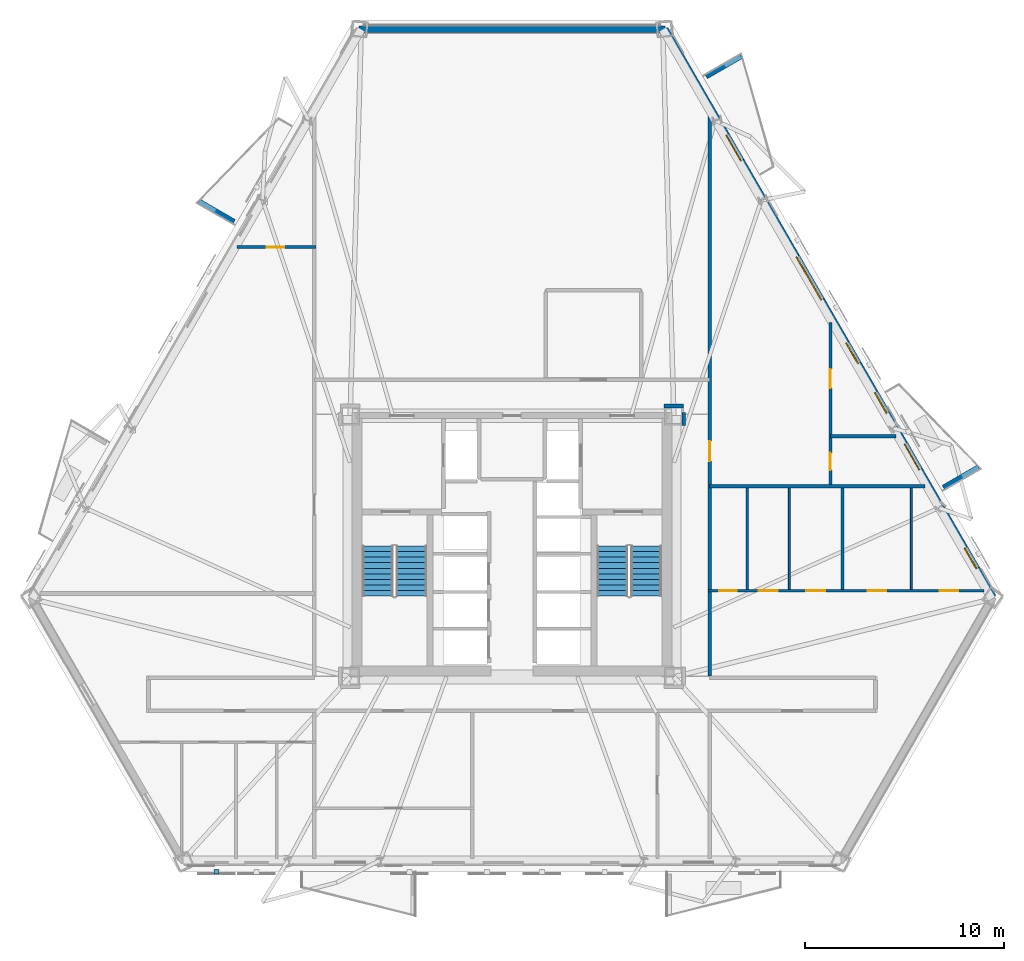
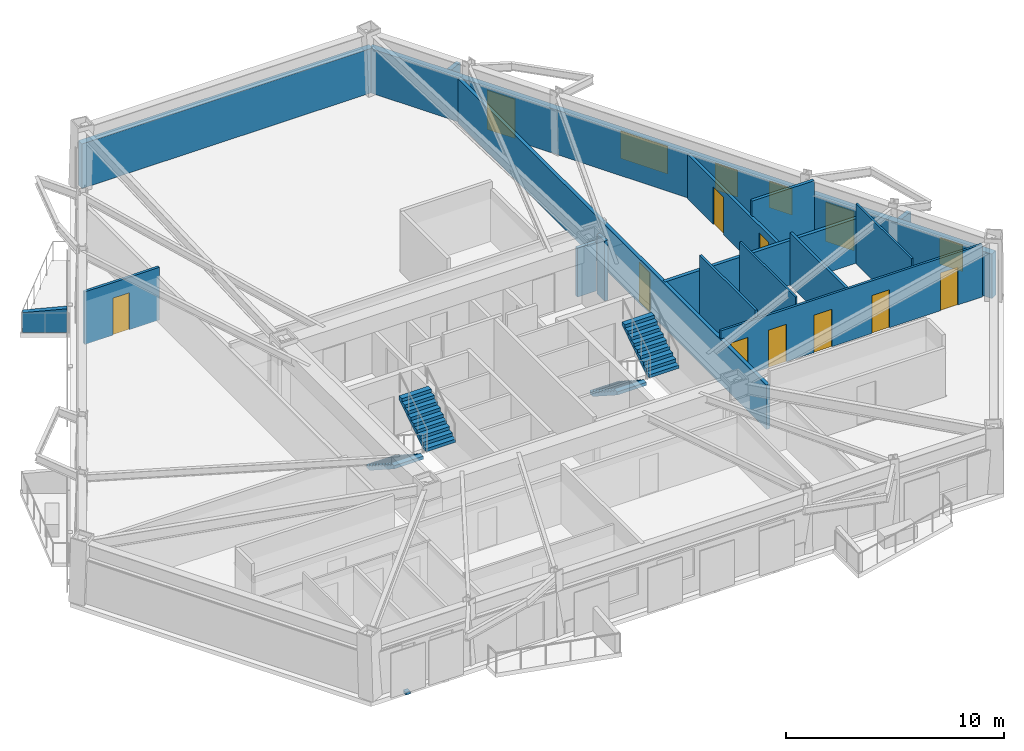
# One storey, part 5 of 13: 17 walls, 11 doors, 4 stair flights, 4 windows, 1 discrete accessory, 15 openings, 2 elements without a shape of their own.
"""IFC4 building model written with IfcOpenShell, lengths in metres."""

from ifc_helpers import new_model, si_unit, direction, frame, frame_2d, origin, origin_2d, place, context, subcontext, project, spatial, polyline, rectangle, outline, extrude, material, layer, layer_set, type_object, element, fill, aggregate, save


model = new_model("IFC4")

# Units and contexts
model_context = context("Model", 3, precision=1e-05, world=origin(), true_north=direction((0.0, 1.0)))
body_context = subcontext(model_context, "Body", "Model", "MODEL_VIEW")
ifc_project = project(units=[si_unit("LENGTHUNIT", "METRE"), si_unit("AREAUNIT", "SQUARE_METRE"), si_unit("VOLUMEUNIT", "CUBIC_METRE"), si_unit("PLANEANGLEUNIT", "RADIAN"), si_unit("MASSUNIT", "GRAM", prefix="KILO")], contexts=[model_context])

# Site, building, storey
site_placement = place(None, origin())
site = spatial("IfcSite", under=ifc_project, at=site_placement, CompositionType="ELEMENT")
building_placement = place(site_placement, origin())
building = spatial("IfcBuilding", under=site, at=building_placement, Name="Oramaril Tower", CompositionType="ELEMENT")
storey_placement = place(building_placement, frame((0.0, 0.0, 38.10009765625)))
storey = spatial("IfcBuildingStorey", under=building, at=storey_placement, Name="L09", CompositionType="ELEMENT", Elevation=38.10009765625)

# Wall, openings, doors, windows
ifc_material_1 = material(Name="Warm Cream Limestone", Category="masonry")
ifc_layer_1 = layer(ifc_material_1, 0.340087890625)
ifc_layer_set_1 = layer_set([ifc_layer_1], Name="WT-EXT34")
wall_type_1 = type_object("IfcWallType", Name="WT-EXT34", PredefinedType="SOLIDWALL", material=ifc_layer_set_1)
wall_1_placement = place(storey_placement, frame((61.712890625, 15.01416015625, 0.0), z_axis=(0.0, 0.0, 1.0), x_axis=(-0.499997221217, 0.86602700811, 0.0)))
wall_1 = element("IfcWall", 1, at=wall_1_placement, inside=storey, type_object=wall_type_1, Name="L09 Tower Limestone Facade Wall 4M", PredefinedType="SOLIDWALL", context=body_context, shape_type="SweptSolid", body=[
    extrude(rectangle(XDim=33.021728515625, YDim=0.340087890625, at=frame_2d((16.5107421875, 0.0))), origin(), (0.0, 0.0, 1.0), 2.493896484375),
])
opening_1_placement = place(wall_1_placement, frame((7.404296875, 0.0, 0.0)))
opening_1 = element("IfcOpeningElement", 2, at=opening_1_placement, cuts=wall_1, Name="Opening D-L09-BAL-NE1", PredefinedType="OPENING", context=body_context, shape_type="SweptSolid", body=[
    extrude(rectangle(XDim=1.5, YDim=2.199951171875, at=frame_2d((0.75, 1.10009765625))), frame((0.0, 0.169921875, 0.0), z_axis=(0.0, -1.0, 0.0), x_axis=(1.0, 0.0, 0.0)), (0.0, 0.0, 1.0), 0.340087890625),
])
opening_2_placement = place(wall_1_placement, frame((25.3623046875, 0.0, 0.0)))
opening_2 = element("IfcOpeningElement", 3, at=opening_2_placement, cuts=wall_1, Name="Opening D-L09-BAL-NE2", PredefinedType="OPENING", context=body_context, shape_type="SweptSolid", body=[
    extrude(rectangle(XDim=1.5, YDim=2.199951171875, at=frame_2d((0.75, 1.10009765625))), frame((0.0, 0.169921875, 0.0), z_axis=(0.0, -1.0, 0.0), x_axis=(1.0, 0.0, 0.0)), (0.0, 0.0, 1.0), 0.340087890625),
])
opening_3_placement = place(wall_1_placement, frame((1.6572265625, 0.0, 0.85009765625)))
opening_3 = element("IfcOpeningElement", 4, at=opening_3_placement, cuts=wall_1, Name="Opening WN-09", PredefinedType="OPENING", context=body_context, shape_type="SweptSolid", body=[
    extrude(rectangle(XDim=1.199951171875, YDim=1.47998046875, at=frame_2d((0.60009765625, 0.739990234375))), frame((0.0, 0.169921875, 0.0), z_axis=(0.0, -1.0, 0.0), x_axis=(1.0, 0.0, 0.0)), (0.0, 0.0, 1.0), 0.340087890625),
])
opening_4_placement = place(wall_1_placement, frame((17.281982421875, 0.0, 0.85009765625)))
opening_4 = element("IfcOpeningElement", 5, at=opening_4_placement, cuts=wall_1, Name="Opening WN-11", PredefinedType="OPENING", context=body_context, shape_type="SweptSolid", body=[
    extrude(rectangle(XDim=2.5, YDim=1.533935546875, at=frame_2d((1.25, 0.76708984375))), frame((0.0, 0.169921875, 0.0), z_axis=(0.0, -1.0, 0.0), x_axis=(1.0, 0.0, 0.0)), (0.0, 0.0, 1.0), 0.340087890625),
])
opening_5_placement = place(wall_1_placement, frame((10.692138671875, 0.0, 0.85009765625)))
opening_5 = element("IfcOpeningElement", 6, at=opening_5_placement, cuts=wall_1, Name="Opening WN-09", PredefinedType="OPENING", context=body_context, shape_type="SweptSolid", body=[
    extrude(rectangle(XDim=1.199951171875, YDim=1.47998046875, at=frame_2d((0.60009765625, 0.739990234375))), frame((0.0, 0.169921875, 0.0), z_axis=(0.0, -1.0, 0.0), x_axis=(1.0, 0.0, 0.0)), (0.0, 0.0, 1.0), 0.340087890625),
])
opening_6_placement = place(wall_1_placement, frame((13.576416015625, 0.0, 0.85009765625)))
opening_6 = element("IfcOpeningElement", 7, at=opening_6_placement, cuts=wall_1, Name="Opening WN-09", PredefinedType="OPENING", context=body_context, shape_type="SweptSolid", body=[
    extrude(rectangle(XDim=1.199951171875, YDim=1.47998046875, at=frame_2d((0.60009765625, 0.739990234375))), frame((0.0, 0.169921875, 0.0), z_axis=(0.0, -1.0, 0.0), x_axis=(1.0, 0.0, 0.0)), (0.0, 0.0, 1.0), 0.340087890625),
])
ifc_material_2 = material(Name="Anodised Aluminium 6063-T6", Category="aluminium")
door_type_1 = type_object("IfcDoorType", Name="DT-BAL", OperationType="NOTDEFINED", PredefinedType="DOOR", material=ifc_material_2)
door_1_placement = place(opening_1_placement, origin())
door_1 = element("IfcDoor", 8, at=door_1_placement, inside=storey, type_object=door_type_1, Name="L09 Balcony Glazed Door L09-BAL-NE1", OperationType="SINGLE_SWING_RIGHT", OverallHeight=2.199951171875, OverallWidth=1.5, PredefinedType="DOOR", context=body_context, shape_type="SweptSolid", body=[
    extrude(rectangle(XDim=1.5, YDim=2.199951171875, at=frame_2d((0.75, 1.10009765625))), frame((0.0, 0.02490234375, 0.0), z_axis=(0.0, -1.0, 0.0), x_axis=(1.0, 0.0, 0.0)), (0.0, 0.0, 1.0), 0.050048828125),
])
fill(opening_1, door_1)
door_2_placement = place(opening_2_placement, origin())
door_2 = element("IfcDoor", 9, at=door_2_placement, inside=storey, type_object=door_type_1, Name="L09 Balcony Glazed Door L09-BAL-NE2", OperationType="SINGLE_SWING_LEFT", OverallHeight=2.199951171875, OverallWidth=1.5, PredefinedType="DOOR", context=body_context, shape_type="SweptSolid", body=[
    extrude(rectangle(XDim=1.5, YDim=2.199951171875, at=frame_2d((0.75, 1.10009765625))), frame((0.0, 0.02490234375, 0.0), z_axis=(0.0, -1.0, 0.0), x_axis=(1.0, 0.0, 0.0)), (0.0, 0.0, 1.0), 0.050048828125),
])
fill(opening_2, door_2)
ifc_material_3 = material(Name="Coastal Low-E Insulated Glass", Category="glass")
window_type_1 = type_object("IfcWindowType", Name="WNT-09", PartitioningType="SINGLE_PANEL", PredefinedType="WINDOW", material=ifc_material_3)
window_1_placement = place(opening_3_placement, origin())
window_1 = element("IfcWindow", 10, at=window_1_placement, inside=storey, type_object=window_type_1, Name="L09 Chicago Bay Window WN-09", OverallHeight=1.47998046875, OverallWidth=1.199951171875, PartitioningType="SINGLE_PANEL", PredefinedType="WINDOW", context=body_context, shape_type="SweptSolid", body=[
    extrude(rectangle(XDim=1.199951171875, YDim=1.47998046875, at=frame_2d((0.60009765625, 0.739990234375))), frame((0.0, 0.030029296875, 0.0), z_axis=(0.0, -1.0, 0.0), x_axis=(1.0, 0.0, 0.0)), (0.0, 0.0, 1.0), 0.06005859375),
])
fill(opening_3, window_1)
window_2_placement = place(opening_5_placement, origin())
window_2 = element("IfcWindow", 11, at=window_2_placement, inside=storey, type_object=window_type_1, Name="L09 Chicago Bay Window WN-09", OverallHeight=1.47998046875, OverallWidth=1.199951171875, PartitioningType="SINGLE_PANEL", PredefinedType="WINDOW", context=body_context, shape_type="SweptSolid", body=[
    extrude(rectangle(XDim=1.199951171875, YDim=1.47998046875, at=frame_2d((0.60009765625, 0.739990234375))), frame((0.0, 0.030029296875, 0.0), z_axis=(0.0, -1.0, 0.0), x_axis=(1.0, 0.0, 0.0)), (0.0, 0.0, 1.0), 0.06005859375),
])
fill(opening_5, window_2)
window_3_placement = place(opening_6_placement, origin())
window_3 = element("IfcWindow", 12, at=window_3_placement, inside=storey, type_object=window_type_1, Name="L09 Chicago Bay Window WN-09", OverallHeight=1.47998046875, OverallWidth=1.199951171875, PartitioningType="SINGLE_PANEL", PredefinedType="WINDOW", context=body_context, shape_type="SweptSolid", body=[
    extrude(rectangle(XDim=1.199951171875, YDim=1.47998046875, at=frame_2d((0.60009765625, 0.739990234375))), frame((0.0, 0.030029296875, 0.0), z_axis=(0.0, -1.0, 0.0), x_axis=(1.0, 0.0, 0.0)), (0.0, 0.0, 1.0), 0.06005859375),
])
fill(opening_6, window_3)
ifc_material_4 = material(Name="Coastal Low-E Insulated Glass", Category="glass")
window_type_2 = type_object("IfcWindowType", Name="WNT-11", PartitioningType="SINGLE_PANEL", PredefinedType="WINDOW", material=ifc_material_4)
window_4_placement = place(opening_4_placement, origin())
window_4 = element("IfcWindow", 13, at=window_4_placement, inside=storey, type_object=window_type_2, Name="L09 Chicago Bay Window WN-11", OverallHeight=1.533935546875, OverallWidth=2.5, PartitioningType="SINGLE_PANEL", PredefinedType="WINDOW", context=body_context, shape_type="SweptSolid", body=[
    extrude(rectangle(XDim=2.5, YDim=1.533935546875, at=frame_2d((1.25, 0.76708984375))), frame((0.0, 0.030029296875, 0.0), z_axis=(0.0, -1.0, 0.0), x_axis=(1.0, 0.0, 0.0)), (0.0, 0.0, 1.0), 0.06005859375),
])
fill(opening_4, window_4)

# Walls
wall_2_placement = place(storey_placement, frame((45.2021484375, 43.61181640625, 0.0), z_axis=(0.0, 0.0, 1.0), x_axis=(-1.0, 0.0, 0.0)))
element("IfcWall", 14, at=wall_2_placement, inside=storey, type_object=wall_type_1, Name="L09 Tower Limestone Facade Wall 5M", PredefinedType="SOLIDWALL", context=body_context, shape_type="SweptSolid", body=[
    extrude(rectangle(XDim=15.404296875, YDim=0.340087890625, at=frame_2d((7.7021484375, 0.0))), origin(), (0.0, 0.0, 1.0), 2.493896484375),
])
ifc_material_5 = material(Name="Concrete C40/50", Category="concrete")
ifc_layer_2 = layer(ifc_material_5, 0.22998046875)
ifc_layer_set_2 = layer_set([ifc_layer_2], Name="WT-PRP23")
wall_type_2 = type_object("IfcWallType", Name="WT-PRP23", PredefinedType="PARAPET", material=ifc_layer_set_2)
for number, where, z_axis, x_axis, name in (
    (15, (59.211181640625, 20.54345703125, 0.0), (0.0, 0.0, 1.0), (0.866012356593, 0.500022597718, 0.0), "L09 Trapezoidal Balcony Frame Cheek L09-BAL-NE1-L"),
    (16, (47.277099609375, 41.213623046875, 0.0), (0.0, 0.0, 1.0), (0.866042246008, 0.499970827278, 0.0), "L09 Trapezoidal Balcony Frame Cheek L09-BAL-NE2-R"),
    (17, (23.515380859375, 33.926025390625, 0.0), (0.0, 0.0, 1.0), (-0.866042246008, 0.499970827278, 0.0), "L09 Trapezoidal Balcony Frame Cheek L09-BAL-NW1-R"),
):
    element("IfcWall", number, at=place(storey_placement, frame(where, z_axis=z_axis, x_axis=x_axis)), inside=storey, type_object=wall_type_2, Name=name, PredefinedType="PARAPET", context=body_context, shape_type="SweptSolid", body=[
        extrude(outline(polyline([(0.0, 0.0), (2.0419921875, 0.0), (2.0419921875, 1.099853515625), (0.0, 1.31982421875), (0.0, 0.0)])), frame((0.0, 0.114990234375, 0.0), z_axis=(0.0, -1.0, 0.0), x_axis=(1.0, 0.0, 0.0)), (0.0, 0.0, 1.0), 0.22998046875),
    ])
ifc_material_6 = material(Name="Acoustic Gypsum Board Partition")
ifc_layer_3 = layer(ifc_material_6, 0.10009765625)
ifc_layer_set_3 = layer_set([ifc_layer_3], Name="WT-PT10")
wall_type_3 = type_object("IfcWallType", Name="WT-PT10", PredefinedType="PARTITIONING", material=ifc_layer_set_3)
for number, where, z_axis, x_axis, name in (
    (18, (51.4599609375, 15.404052734375, 0.0), (0.0, 0.0, 1.0), (0.0, 1.0, 0.0), "L09 Interior Partition PT-10"),
    (19, (57.610107421875, 15.404052734375, 0.0), (0.0, 0.0, 1.0), (0.0, 1.0, 0.0), "L09 Interior Partition PT-10"),
):
    element("IfcWall", number, at=place(storey_placement, frame(where, z_axis=z_axis, x_axis=x_axis)), inside=storey, type_object=wall_type_3, Name=name, PredefinedType="PARTITIONING", context=body_context, shape_type="SweptSolid", body=[
        extrude(rectangle(XDim=5.10205078125, YDim=0.10009765625, at=frame_2d((2.551025390625, 0.0))), origin(), (0.0, 0.0, 1.0), 3.35986328125),
    ])

# Wall, openings, doors
ifc_material_7 = material(Name="Acoustic Gypsum Board Partition")
ifc_layer_4 = layer(ifc_material_7, 0.1201171875)
ifc_layer_set_4 = layer_set([ifc_layer_4], Name="WT-PT12")
wall_type_4 = type_object("IfcWallType", Name="WT-PT12", PredefinedType="PARTITIONING", material=ifc_layer_set_4)
wall_3_placement = place(storey_placement, frame((47.39990234375, 15.340087890625, 0.0), z_axis=(0.0, 0.0, 1.0), x_axis=(1.0, 0.0, 0.0)))
wall_3 = element("IfcWall", 20, at=wall_3_placement, inside=storey, type_object=wall_type_4, Name="L09 Interior Partition PT-12", PredefinedType="PARTITIONING", context=body_context, shape_type="SweptSolid", body=[
    extrude(rectangle(XDim=13.86572265625, YDim=0.1201171875, at=frame_2d((6.932861328125, 0.0))), origin(), (0.0, 0.0, 1.0), 2.94580078125),
])
opening_7_placement = place(wall_3_placement, frame((0.5400390625, 0.0, 0.0)))
opening_7 = element("IfcOpeningElement", 21, at=opening_7_placement, cuts=wall_3, Name="Opening D-L09-10", PredefinedType="OPENING", context=body_context, shape_type="SweptSolid", body=[
    extrude(rectangle(XDim=0.8798828125, YDim=2.080078125, at=frame_2d((0.43994140625, 1.0400390625))), frame((0.0, 0.06005859375, 0.0), z_axis=(0.0, -1.0, 0.0), x_axis=(1.0, 0.0, 0.0)), (0.0, 0.0, 1.0), 0.1201171875),
])
opening_8_placement = place(wall_3_placement, frame((2.5244140625, 0.0, 0.0)))
opening_8 = element("IfcOpeningElement", 22, at=opening_8_placement, cuts=wall_3, Name="Opening D-L09-11", PredefinedType="OPENING", context=body_context, shape_type="SweptSolid", body=[
    extrude(rectangle(XDim=0.949951171875, YDim=2.10009765625, at=frame_2d((0.47509765625, 1.050048828125))), frame((0.0, 0.06005859375, 0.0), z_axis=(0.0, -1.0, 0.0), x_axis=(1.0, 0.0, 0.0)), (0.0, 0.0, 1.0), 0.1201171875),
])
opening_9_placement = place(wall_3_placement, frame((4.923095703125, 0.0, 0.0)))
opening_9 = element("IfcOpeningElement", 23, at=opening_9_placement, cuts=wall_3, Name="Opening D-L09-12", PredefinedType="OPENING", context=body_context, shape_type="SweptSolid", body=[
    extrude(rectangle(XDim=0.949951171875, YDim=2.10009765625, at=frame_2d((0.47509765625, 1.050048828125))), frame((0.0, 0.06005859375, 0.0), z_axis=(0.0, -1.0, 0.0), x_axis=(1.0, 0.0, 0.0)), (0.0, 0.0, 1.0), 0.1201171875),
])
opening_10_placement = place(wall_3_placement, frame((8.013671875, 0.0, 0.0)))
opening_10 = element("IfcOpeningElement", 24, at=opening_10_placement, cuts=wall_3, Name="Opening D-L09-13", PredefinedType="OPENING", context=body_context, shape_type="SweptSolid", body=[
    extrude(rectangle(XDim=0.919921875, YDim=2.1201171875, at=frame_2d((0.4599609375, 1.06005859375))), frame((0.0, 0.06005859375, 0.0), z_axis=(0.0, -1.0, 0.0), x_axis=(1.0, 0.0, 0.0)), (0.0, 0.0, 1.0), 0.1201171875),
])
opening_11_placement = place(wall_3_placement, frame((11.635009765625, 0.0, 0.0)))
opening_11 = element("IfcOpeningElement", 25, at=opening_11_placement, cuts=wall_3, Name="Opening D-L09-14", PredefinedType="OPENING", context=body_context, shape_type="SweptSolid", body=[
    extrude(rectangle(XDim=0.919921875, YDim=2.1201171875, at=frame_2d((0.4599609375, 1.06005859375))), frame((0.0, 0.06005859375, 0.0), z_axis=(0.0, -1.0, 0.0), x_axis=(1.0, 0.0, 0.0)), (0.0, 0.0, 1.0), 0.1201171875),
])
ifc_material_8 = material(Name="FSC Brazilian Freijo Hardwood", Category="wood")
door_type_2 = type_object("IfcDoorType", Name="DT-BATH", OperationType="NOTDEFINED", PredefinedType="DOOR", material=ifc_material_8)
door_3_placement = place(opening_7_placement, origin())
door_3 = element("IfcDoor", 26, at=door_3_placement, inside=storey, type_object=door_type_2, Name="L09 Flat L09-U5 Bathroom Door D-L09-10", OperationType="SINGLE_SWING_RIGHT", OverallHeight=2.080078125, OverallWidth=0.8798828125, PredefinedType="DOOR", context=body_context, shape_type="SweptSolid", body=[
    extrude(rectangle(XDim=0.8798828125, YDim=2.080078125, at=frame_2d((0.43994140625, 1.0400390625))), frame((0.0, 0.02490234375, 0.0), z_axis=(0.0, -1.0, 0.0), x_axis=(1.0, 0.0, 0.0)), (0.0, 0.0, 1.0), 0.050048828125),
])
fill(opening_7, door_3)
ifc_material_9 = material(Name="FSC Brazilian Freijo Hardwood", Category="wood")
door_type_3 = type_object("IfcDoorType", Name="DT-BED", OperationType="NOTDEFINED", PredefinedType="DOOR", material=ifc_material_9)
door_4_placement = place(opening_10_placement, origin())
door_4 = element("IfcDoor", 27, at=door_4_placement, inside=storey, type_object=door_type_3, Name="L09 Flat L09-U5 Bedroom 2 Door D-L09-13", OperationType="SINGLE_SWING_LEFT", OverallHeight=2.1201171875, OverallWidth=0.919921875, PredefinedType="DOOR", context=body_context, shape_type="SweptSolid", body=[
    extrude(rectangle(XDim=0.919921875, YDim=2.1201171875, at=frame_2d((0.4599609375, 1.06005859375))), frame((0.0, 0.02490234375, 0.0), z_axis=(0.0, -1.0, 0.0), x_axis=(1.0, 0.0, 0.0)), (0.0, 0.0, 1.0), 0.050048828125),
])
fill(opening_10, door_4)
door_5_placement = place(opening_11_placement, origin())
door_5 = element("IfcDoor", 28, at=door_5_placement, inside=storey, type_object=door_type_3, Name="L09 Flat L09-U5 Master Bedroom Door D-L09-14", OperationType="SINGLE_SWING_RIGHT", OverallHeight=2.1201171875, OverallWidth=0.919921875, PredefinedType="DOOR", context=body_context, shape_type="SweptSolid", body=[
    extrude(rectangle(XDim=0.919921875, YDim=2.1201171875, at=frame_2d((0.4599609375, 1.06005859375))), frame((0.0, 0.02490234375, 0.0), z_axis=(0.0, -1.0, 0.0), x_axis=(1.0, 0.0, 0.0)), (0.0, 0.0, 1.0), 0.050048828125),
])
fill(opening_11, door_5)
ifc_material_10 = material(Name="FSC Brazilian Freijo Hardwood", Category="wood")
door_type_4 = type_object("IfcDoorType", Name="DT-STDY", OperationType="NOTDEFINED", PredefinedType="DOOR", material=ifc_material_10)
door_6_placement = place(opening_8_placement, origin())
door_6 = element("IfcDoor", 29, at=door_6_placement, inside=storey, type_object=door_type_4, Name="L09 Flat L09-U5 Kitchen Door D-L09-11", OperationType="SINGLE_SWING_LEFT", OverallHeight=2.10009765625, OverallWidth=0.949951171875, PredefinedType="DOOR", context=body_context, shape_type="SweptSolid", body=[
    extrude(rectangle(XDim=0.949951171875, YDim=2.10009765625, at=frame_2d((0.47509765625, 1.050048828125))), frame((0.0, 0.02490234375, 0.0), z_axis=(0.0, -1.0, 0.0), x_axis=(1.0, 0.0, 0.0)), (0.0, 0.0, 1.0), 0.050048828125),
])
fill(opening_8, door_6)
door_7_placement = place(opening_9_placement, origin())
door_7 = element("IfcDoor", 30, at=door_7_placement, inside=storey, type_object=door_type_4, Name="L09 Flat L09-U5 Reading Study Door D-L09-12", OperationType="SINGLE_SWING_RIGHT", OverallHeight=2.10009765625, OverallWidth=0.949951171875, PredefinedType="DOOR", context=body_context, shape_type="SweptSolid", body=[
    extrude(rectangle(XDim=0.949951171875, YDim=2.10009765625, at=frame_2d((0.47509765625, 1.050048828125))), frame((0.0, 0.02490234375, 0.0), z_axis=(0.0, -1.0, 0.0), x_axis=(1.0, 0.0, 0.0)), (0.0, 0.0, 1.0), 0.050048828125),
])
fill(opening_9, door_7)

# Wall
wall_4_placement = place(storey_placement, frame((49.340087890625, 15.404052734375, 0.0), z_axis=(0.0, 0.0, 1.0), x_axis=(0.0, 1.0, 0.0)))
element("IfcWall", 31, at=wall_4_placement, inside=storey, type_object=wall_type_4, Name="L09 Interior Partition PT-12", PredefinedType="PARTITIONING", context=body_context, shape_type="SweptSolid", body=[
    extrude(rectangle(XDim=5.10205078125, YDim=0.1201171875, at=frame_2d((2.551025390625, 0.0))), origin(), (0.0, 0.0, 1.0), 3.35986328125),
])

# Wall, opening, door
ifc_material_11 = material(Name="Acoustic Gypsum Board Partition")
ifc_layer_5 = layer(ifc_material_11, 0.139892578125)
ifc_layer_set_5 = layer_set([ifc_layer_5], Name="WT-PT14")
wall_type_5 = type_object("IfcWallType", Name="WT-PT14", PredefinedType="PARTITIONING", material=ifc_layer_set_5)
wall_5_placement = place(storey_placement, frame((23.664306640625, 32.639892578125, 0.0), z_axis=(0.0, 0.0, 1.0), x_axis=(1.0, 0.0, 0.0)))
wall_5 = element("IfcWall", 32, at=wall_5_placement, inside=storey, type_object=wall_type_5, Name="L09 Interior Partition PT-14", PredefinedType="PARTITIONING", context=body_context, shape_type="SweptSolid", body=[
    extrude(rectangle(XDim=3.9677734375, YDim=0.139892578125, at=frame_2d((1.98388671875, 0.0))), origin(), (0.0, 0.0, 1.0), 2.94580078125),
])
opening_12_placement = place(wall_5_placement, frame((1.487548828125, 0.0, 0.0)))
opening_12 = element("IfcOpeningElement", 33, at=opening_12_placement, cuts=wall_5, Name="Opening D-L09-16", PredefinedType="OPENING", context=body_context, shape_type="SweptSolid", body=[
    extrude(rectangle(XDim=0.8798828125, YDim=2.080078125, at=frame_2d((0.43994140625, 1.0400390625))), frame((0.0, 0.06982421875, 0.0), z_axis=(0.0, -1.0, 0.0), x_axis=(1.0, 0.0, 0.0)), (0.0, 0.0, 1.0), 0.139892578125),
])
door_8_placement = place(opening_12_placement, origin())
door_8 = element("IfcDoor", 34, at=door_8_placement, inside=storey, type_object=door_type_2, Name="L09 Flat L09-U4 Bathroom Door D-L09-16", OperationType="SINGLE_SWING_RIGHT", OverallHeight=2.080078125, OverallWidth=0.8798828125, PredefinedType="DOOR", context=body_context, shape_type="SweptSolid", body=[
    extrude(rectangle(XDim=0.8798828125, YDim=2.080078125, at=frame_2d((0.43994140625, 1.0400390625))), frame((0.0, 0.02490234375, 0.0), z_axis=(0.0, -1.0, 0.0), x_axis=(1.0, 0.0, 0.0)), (0.0, 0.0, 1.0), 0.050048828125),
])
fill(opening_12, door_8)

# Walls
wall_6_placement = place(storey_placement, frame((54.139892578125, 15.404052734375, 0.0), z_axis=(0.0, 0.0, 1.0), x_axis=(0.0, 1.0, 0.0)))
element("IfcWall", 35, at=wall_6_placement, inside=storey, type_object=wall_type_5, Name="L09 Interior Partition PT-14", PredefinedType="PARTITIONING", context=body_context, shape_type="SweptSolid", body=[
    extrude(rectangle(XDim=5.10205078125, YDim=0.139892578125, at=frame_2d((2.551025390625, 0.0))), origin(), (0.0, 0.0, 1.0), 2.94580078125),
])
ifc_material_12 = material(Name="Acoustic Gypsum Board Partition")
ifc_layer_6 = layer(ifc_material_12, 0.159912109375)
ifc_layer_set_6 = layer_set([ifc_layer_6], Name="WT-PT16")
wall_type_6 = type_object("IfcWallType", Name="WT-PT16", PredefinedType="PARTITIONING", material=ifc_layer_set_6)
wall_7_placement = place(storey_placement, frame((53.5341796875, 23.1201171875, 0.0), z_axis=(0.0, 0.0, 1.0), x_axis=(1.0, 0.0, 0.0)))
element("IfcWall", 36, at=wall_7_placement, inside=storey, type_object=wall_type_6, Name="L09 Interior Partition PT-16", PredefinedType="PARTITIONING", context=body_context, shape_type="SweptSolid", body=[
    extrude(rectangle(XDim=3.2978515625, YDim=0.159912109375, at=frame_2d((1.64892578125, 0.0))), origin(), (0.0, 0.0, 1.0), 3.35986328125),
])

# Wall, openings, doors
wall_8_placement = place(storey_placement, frame((53.530029296875, 20.694091796875, 0.0), z_axis=(0.0, 0.0, 1.0), x_axis=(0.0, 1.0, 0.0)))
wall_8 = element("IfcWall", 37, at=wall_8_placement, inside=storey, type_object=wall_type_6, Name="L09 Interior Partition PT-16", PredefinedType="PARTITIONING", context=body_context, shape_type="SweptSolid", body=[
    extrude(rectangle(XDim=8.1455078125, YDim=0.159912109375, at=frame_2d((4.07275390625, 0.0))), origin(), (0.0, 0.0, 1.0), 2.493896484375),
])
opening_13_placement = place(wall_8_placement, frame((0.7109375, 0.0, 0.0)))
opening_13 = element("IfcOpeningElement", 38, at=opening_13_placement, cuts=wall_8, Name="Opening D-L09-20", PredefinedType="OPENING", context=body_context, shape_type="SweptSolid", body=[
    extrude(rectangle(XDim=0.8798828125, YDim=2.080078125, at=frame_2d((0.43994140625, 1.0400390625))), frame((0.0, 0.080078125, 0.0), z_axis=(0.0, -1.0, 0.0), x_axis=(1.0, 0.0, 0.0)), (0.0, 0.0, 1.0), 0.159912109375),
])
opening_14_placement = place(wall_8_placement, frame((4.845947265625, 0.0, 0.0)))
opening_14 = element("IfcOpeningElement", 39, at=opening_14_placement, cuts=wall_8, Name="Opening D-L09-21", PredefinedType="OPENING", context=body_context, shape_type="SweptSolid", body=[
    extrude(rectangle(XDim=0.949951171875, YDim=2.10009765625, at=frame_2d((0.47509765625, 1.050048828125))), frame((0.0, 0.080078125, 0.0), z_axis=(0.0, -1.0, 0.0), x_axis=(1.0, 0.0, 0.0)), (0.0, 0.0, 1.0), 0.159912109375),
])
door_9_placement = place(opening_13_placement, origin())
door_9 = element("IfcDoor", 40, at=door_9_placement, inside=storey, type_object=door_type_2, Name="L09 Flat L09-U6 Bathroom Door D-L09-20", OperationType="SINGLE_SWING_RIGHT", OverallHeight=2.080078125, OverallWidth=0.8798828125, PredefinedType="DOOR", context=body_context, shape_type="SweptSolid", body=[
    extrude(rectangle(XDim=0.8798828125, YDim=2.080078125, at=frame_2d((0.43994140625, 1.0400390625))), frame((0.0, 0.02490234375, 0.0), z_axis=(0.0, -1.0, 0.0), x_axis=(1.0, 0.0, 0.0)), (0.0, 0.0, 1.0), 0.050048828125),
])
fill(opening_13, door_9)
door_10_placement = place(opening_14_placement, origin())
door_10 = element("IfcDoor", 41, at=door_10_placement, inside=storey, type_object=door_type_4, Name="L09 Flat L09-U6 Kitchen Door D-L09-21", OperationType="SINGLE_SWING_LEFT", OverallHeight=2.10009765625, OverallWidth=0.949951171875, PredefinedType="DOOR", context=body_context, shape_type="SweptSolid", body=[
    extrude(rectangle(XDim=0.949951171875, YDim=2.10009765625, at=frame_2d((0.47509765625, 1.050048828125))), frame((0.0, 0.02490234375, 0.0), z_axis=(0.0, -1.0, 0.0), x_axis=(1.0, 0.0, 0.0)), (0.0, 0.0, 1.0), 0.050048828125),
])
fill(opening_14, door_10)

# Walls
ifc_material_13 = material(Name="Autoclaved Cellular Concrete Block", Category="concrete")
ifc_layer_7 = layer(ifc_material_13, 0.179931640625)
ifc_layer_set_7 = layer_set([ifc_layer_7], Name="WT-PT18")
wall_type_7 = type_object("IfcWallType", Name="WT-PT18", PredefinedType="PARTITIONING", material=ifc_layer_set_7)
wall_9_placement = place(storey_placement, frame((47.449951171875, 20.60009765625, 0.0), z_axis=(0.0, 0.0, 1.0), x_axis=(1.0, 0.0, 0.0)))
element("IfcWall", 42, at=wall_9_placement, inside=storey, type_object=wall_type_7, Name="L09 Interior Partition PT-18", PredefinedType="PARTITIONING", context=body_context, shape_type="SweptSolid", body=[
    extrude(rectangle(XDim=10.837158203125, YDim=0.179931640625, at=frame_2d((5.41845703125, 0.0))), origin(), (0.0, 0.0, 1.0), 2.493896484375),
])
wall_10_placement = place(storey_placement, frame((45.155029296875, 24.639892578125, 0.0), z_axis=(0.0, 0.0, 1.0), x_axis=(1.0, 0.0, 0.0)))
element("IfcWall", 43, at=wall_10_placement, inside=storey, type_object=wall_type_7, Name="L09 Interior Partition PT-18", PredefinedType="PARTITIONING", context=body_context, shape_type="SweptSolid", body=[
    extrude(rectangle(XDim=0.989990234375, YDim=0.179931640625, at=frame_2d((0.4951171875, 0.0))), origin(), (0.0, 0.0, 1.0), 2.73779296875),
])
wall_11_placement = place(storey_placement, frame((46.14990234375, 23.655029296875, 0.0), z_axis=(0.0, 0.0, 1.0), x_axis=(0.0, 1.0, 0.0)))
element("IfcWall", 44, at=wall_11_placement, inside=storey, type_object=wall_type_7, Name="L09 Interior Partition PT-18", PredefinedType="PARTITIONING", context=body_context, shape_type="SweptSolid", body=[
    extrude(rectangle(XDim=0.6650390625, YDim=0.179931640625, at=frame_2d((0.33251953125, 0.0))), origin(), (0.0, 0.0, 1.0), 3.35986328125),
])

# Wall, opening, door
wall_12_placement = place(storey_placement, frame((47.449951171875, 11.0439453125, 0.0), z_axis=(0.0, 0.0, 1.0), x_axis=(0.0, 1.0, 0.0)))
wall_12 = element("IfcWall", 45, at=wall_12_placement, inside=storey, type_object=wall_type_7, Name="L09 Interior Partition PT-18", PredefinedType="PARTITIONING", context=body_context, shape_type="SweptSolid", body=[
    extrude(rectangle(XDim=28.326416015625, YDim=0.179931640625, at=frame_2d((14.1630859375, 0.0))), origin(), (0.0, 0.0, 1.0), 2.493896484375),
])
opening_15_placement = place(wall_12_placement, frame((10.822021484375, 0.0, 0.0)))
opening_15 = element("IfcOpeningElement", 46, at=opening_15_placement, cuts=wall_12, Name="Opening D-L09-19", PredefinedType="OPENING", context=body_context, shape_type="SweptSolid", body=[
    extrude(rectangle(XDim=1.0, YDim=2.179931640625, at=frame_2d((0.5, 1.08984375))), frame((0.0, 0.08984375, 0.0), z_axis=(0.0, -1.0, 0.0), x_axis=(1.0, 0.0, 0.0)), (0.0, 0.0, 1.0), 0.179931640625),
])
ifc_material_14 = material(Name="FSC Brazilian Freijo Hardwood", Category="wood")
door_type_5 = type_object("IfcDoorType", Name="DT-APT", OperationType="NOTDEFINED", PredefinedType="DOOR", material=ifc_material_14)
door_11_placement = place(opening_15_placement, origin())
door_11 = element("IfcDoor", 47, at=door_11_placement, inside=storey, type_object=door_type_5, Name="L09 Flat L09-U6 Studio Apartment Door D-L09-19", OperationType="SINGLE_SWING_LEFT", OverallHeight=2.179931640625, OverallWidth=1.0, PredefinedType="DOOR", context=body_context, shape_type="SweptSolid", body=[
    extrude(rectangle(XDim=1.0, YDim=2.179931640625, at=frame_2d((0.5, 1.08984375))), frame((0.0, 0.02490234375, 0.0), z_axis=(0.0, -1.0, 0.0), x_axis=(1.0, 0.0, 0.0)), (0.0, 0.0, 1.0), 0.050048828125),
])
fill(opening_15, door_11)

# Stair, stair flights
ifc_material_15 = material(Name="Concrete C50/60", Category="concrete")
stair_type = type_object("IfcStairType", Name="STT-DG-3600", PredefinedType="HALF_TURN_STAIR", material=ifc_material_15)
stair_1_placement = place(storey_placement, origin())
stair_1 = element("IfcStair", 48, at=stair_1_placement, inside=storey, type_object=stair_type, Name="L09 Protected PFP Exit Stair ST-1", PredefinedType="HALF_TURN_STAIR")
ifc_material_16 = material(Name="Concrete C50/60", Category="concrete")
stair_flight_type = type_object("IfcStairFlightType", Name="SFT-DG-3600", PredefinedType="STRAIGHT", material=ifc_material_16)
stair_flight_1_placement = place(storey_placement, frame((30.72998046875, 17.590087890625, 0.0), z_axis=(0.0, 0.0, 1.0), x_axis=(0.0, -1.0, 0.0)))
stair_flight_1 = element("IfcStairFlight", 49, at=stair_flight_1_placement, type_object=stair_flight_type, Name="ST-1 flight 1", NumberOfRisers=10, NumberOfTreads=9, PredefinedType="STRAIGHT", RiserHeight=0.18, TreadLength=0.28, context=body_context, shape_type="SweptSolid", body=[
    extrude(outline(polyline([(0.0, 0.0), (0.0, 0.179931640625), (0.280029296875, 0.179931640625), (0.280029296875, 0.360107421875), (0.56005859375, 0.360107421875), (0.56005859375, 0.5400390625), (0.840087890625, 0.5400390625), (0.840087890625, 0.719970703125), (1.1201171875, 0.719970703125), (1.1201171875, 0.89990234375), (1.39990234375, 0.89990234375), (1.39990234375, 1.080078125), (1.679931640625, 1.080078125), (1.679931640625, 1.260009765625), (1.9599609375, 1.260009765625), (1.9599609375, 1.43994140625), (2.239990234375, 1.43994140625), (2.239990234375, 1.6201171875), (2.52001953125, 1.6201171875), (2.52001953125, 1.800048828125), (2.52001953125, 1.44189453125), (0.277099609375, 0.0), (0.0, 0.0)])), frame((0.0, 0.780029296875, 0.0), z_axis=(0.0, -1.0, 0.0), x_axis=(1.0, 0.0, 0.0)), (0.0, 0.0, 1.0), 1.56005859375),
])
stair_flight_2_placement = place(storey_placement, frame((32.43994140625, 15.070068359375, 1.7998046875), z_axis=(0.0, 0.0, 1.0), x_axis=(0.0, 1.0, 0.0)))
stair_flight_2 = element("IfcStairFlight", 50, at=stair_flight_2_placement, type_object=stair_flight_type, Name="ST-1 flight 2", NumberOfRisers=10, NumberOfTreads=9, PredefinedType="STRAIGHT", RiserHeight=0.18, TreadLength=0.28, context=body_context, shape_type="SweptSolid", body=[
    extrude(outline(polyline([(0.0, 0.0), (0.0, 0.179931640625), (0.280029296875, 0.179931640625), (0.280029296875, 0.360107421875), (0.56005859375, 0.360107421875), (0.56005859375, 0.5400390625), (0.840087890625, 0.5400390625), (0.840087890625, 0.719970703125), (1.1201171875, 0.719970703125), (1.1201171875, 0.89990234375), (1.39990234375, 0.89990234375), (1.39990234375, 1.080078125), (1.679931640625, 1.080078125), (1.679931640625, 1.260009765625), (1.9599609375, 1.260009765625), (1.9599609375, 1.43994140625), (2.239990234375, 1.43994140625), (2.239990234375, 1.6201171875), (2.52001953125, 1.6201171875), (2.52001953125, 1.800048828125), (2.52001953125, 1.44189453125), (0.277099609375, 0.0), (0.0, 0.0)])), frame((0.0, 0.780029296875, 0.0), z_axis=(0.0, -1.0, 0.0), x_axis=(1.0, 0.0, 0.0)), (0.0, 0.0, 1.0), 1.56005859375),
])
aggregate(stair_1, [stair_flight_1, stair_flight_2])

stair_2_placement = place(storey_placement, origin())
stair_2 = element("IfcStair", 51, at=stair_2_placement, inside=storey, type_object=stair_type, Name="L09 Protected PFP Exit Stair ST-2", PredefinedType="HALF_TURN_STAIR")
stair_flight_3_placement = place(storey_placement, frame((42.56005859375, 17.590087890625, 0.0), z_axis=(0.0, 0.0, 1.0), x_axis=(0.0, -1.0, 0.0)))
stair_flight_3 = element("IfcStairFlight", 52, at=stair_flight_3_placement, type_object=stair_flight_type, Name="ST-2 flight 1", NumberOfRisers=10, NumberOfTreads=9, PredefinedType="STRAIGHT", RiserHeight=0.18, TreadLength=0.28, context=body_context, shape_type="SweptSolid", body=[
    extrude(outline(polyline([(0.0, 0.0), (0.0, 0.179931640625), (0.280029296875, 0.179931640625), (0.280029296875, 0.360107421875), (0.56005859375, 0.360107421875), (0.56005859375, 0.5400390625), (0.840087890625, 0.5400390625), (0.840087890625, 0.719970703125), (1.1201171875, 0.719970703125), (1.1201171875, 0.89990234375), (1.39990234375, 0.89990234375), (1.39990234375, 1.080078125), (1.679931640625, 1.080078125), (1.679931640625, 1.260009765625), (1.9599609375, 1.260009765625), (1.9599609375, 1.43994140625), (2.239990234375, 1.43994140625), (2.239990234375, 1.6201171875), (2.52001953125, 1.6201171875), (2.52001953125, 1.800048828125), (2.52001953125, 1.44189453125), (0.277099609375, 0.0), (0.0, 0.0)])), frame((0.0, 0.780029296875, 0.0), z_axis=(0.0, -1.0, 0.0), x_axis=(1.0, 0.0, 0.0)), (0.0, 0.0, 1.0), 1.56005859375),
])
stair_flight_4_placement = place(storey_placement, frame((44.27001953125, 15.070068359375, 1.7998046875), z_axis=(0.0, 0.0, 1.0), x_axis=(0.0, 1.0, 0.0)))
stair_flight_4 = element("IfcStairFlight", 53, at=stair_flight_4_placement, type_object=stair_flight_type, Name="ST-2 flight 2", NumberOfRisers=10, NumberOfTreads=9, PredefinedType="STRAIGHT", RiserHeight=0.18, TreadLength=0.28, context=body_context, shape_type="SweptSolid", body=[
    extrude(outline(polyline([(0.0, 0.0), (0.0, 0.179931640625), (0.280029296875, 0.179931640625), (0.280029296875, 0.360107421875), (0.56005859375, 0.360107421875), (0.56005859375, 0.5400390625), (0.840087890625, 0.5400390625), (0.840087890625, 0.719970703125), (1.1201171875, 0.719970703125), (1.1201171875, 0.89990234375), (1.39990234375, 0.89990234375), (1.39990234375, 1.080078125), (1.679931640625, 1.080078125), (1.679931640625, 1.260009765625), (1.9599609375, 1.260009765625), (1.9599609375, 1.43994140625), (2.239990234375, 1.43994140625), (2.239990234375, 1.6201171875), (2.52001953125, 1.6201171875), (2.52001953125, 1.800048828125), (2.52001953125, 1.44189453125), (0.277099609375, 0.0), (0.0, 0.0)])), frame((0.0, 0.780029296875, 0.0), z_axis=(0.0, -1.0, 0.0), x_axis=(1.0, 0.0, 0.0)), (0.0, 0.0, 1.0), 1.56005859375),
])
aggregate(stair_2, [stair_flight_3, stair_flight_4])

# Discrete accessory
discrete_accessory_placement = place(storey_placement, frame((22.619873046875, 1.19384765625, -0.14013671875), z_axis=(0.0, 0.0, 1.0), x_axis=(1.0, 0.0, 0.0)))
element("IfcDiscreteAccessory", 54, at=discrete_accessory_placement, inside=storey, Name="L09 Solar Screen Slab Bracket", PredefinedType="BRACKET", context=body_context, shape_type="SweptSolid", body=[
    extrude(rectangle(XDim=0.239990234375, YDim=0.239990234375, at=origin_2d()), origin(), (0.0, 0.0, 1.0), 0.159912109375),
])

save(model, "model.ifc")
